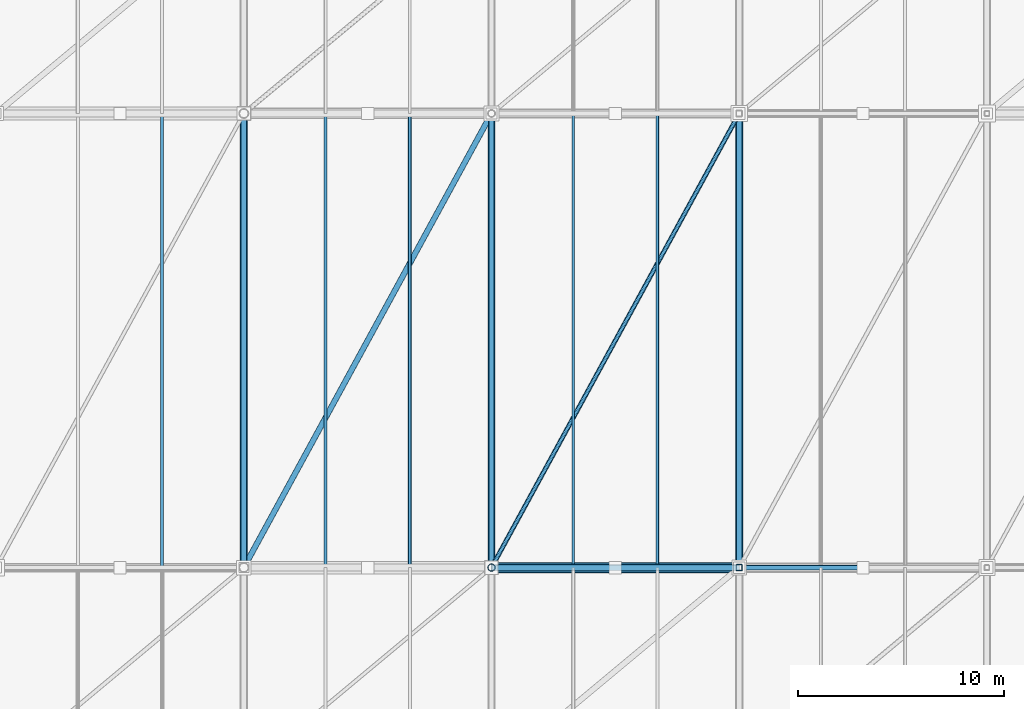
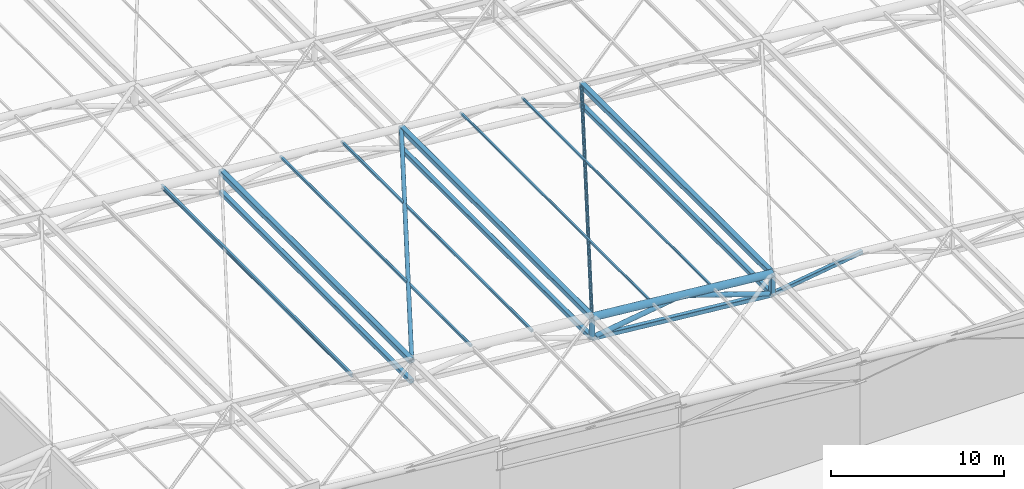
# One storey, part 10 of 44: 20 members.
"""IFC4 building model written with IfcOpenShell, lengths in metres."""

from ifc_helpers import new_model, si_unit, direction, frame, origin, origin_2d, place, context, subcontext, project, spatial, hollow_rectangle, hollow_circle, i_section, extrude, material, material_profile, profile_set, type_object, element, save


model = new_model("IFC4")

# Units and contexts
model_context = context("Model", 3, precision=1e-05, world=origin(), true_north=direction((0.0, 1.0)))
body_context = subcontext(model_context, "Body", "Model", "MODEL_VIEW")
ifc_project = project(units=[si_unit("LENGTHUNIT", "METRE"), si_unit("AREAUNIT", "SQUARE_METRE"), si_unit("VOLUMEUNIT", "CUBIC_METRE"), si_unit("PLANEANGLEUNIT", "RADIAN"), si_unit("MASSUNIT", "GRAM", prefix="KILO")], contexts=[model_context])

# Site, building, storey
site_placement = place(None, origin())
site = spatial("IfcSite", under=ifc_project, at=site_placement, CompositionType="ELEMENT")
building_placement = place(site_placement, origin())
building = spatial("IfcBuilding", under=site, at=building_placement, Name="Brinegate Civic Arena", CompositionType="ELEMENT")
storey_placement = place(building_placement, frame((0.0, 0.0, 29.39990234375)))
storey = spatial("IfcBuildingStorey", under=building, at=storey_placement, Name="RF", CompositionType="ELEMENT", Elevation=29.39990234375)

# Members
ifc_material = material(Name="Steel S355", Category="steel")
ifc_material_profile_1 = material_profile(ifc_material, hollow_rectangle(XDim=0.139892578125, YDim=0.139892578125, WallThickness=0.008056640625, InnerFilletRadius=0.008056640625, OuterFilletRadius=0.01611328125, at=origin_2d()), Name="SHS140X8")
ifc_profile_set_1 = profile_set([ifc_material_profile_1], Name="Steel S355")
member_type_1 = type_object("IfcMemberType", Name="RF-PURLIN-SHS140", PredefinedType="PURLIN", material=ifc_profile_set_1)
for number, where, z_axis, x_axis, name in (
    (1, (99.9599609375, 20.0, 6.84912109375), (0.0, 1.0, 0.0), (-1.0, 0.0, 0.0), "Roof Purlin RFP-027"),
    (2, (104.0400390625, 20.0, 6.466064453125), (0.0, 1.0, 0.0), (-1.0, 0.0, 0.0), "Roof Purlin RFP-028"),
):
    element("IfcMember", number, at=place(storey_placement, frame(where, z_axis=z_axis, x_axis=x_axis)), inside=storey, type_object=member_type_1, Name=name, PredefinedType="PURLIN", context=body_context, shape_type="SweptSolid", body=[
        extrude(hollow_rectangle(XDim=0.139892578125, YDim=0.139892578125, WallThickness=0.008056640625, InnerFilletRadius=0.008056640625, OuterFilletRadius=0.01611328125, at=origin_2d()), origin(), (0.0, 0.0, 1.0), 22.0),
    ])
ifc_material_profile_2 = material_profile(ifc_material, hollow_rectangle(XDim=0.159912109375, YDim=0.159912109375, WallThickness=0.008056640625, InnerFilletRadius=0.008056640625, OuterFilletRadius=0.01611328125, at=origin_2d()), Name="SHS160X8")
ifc_profile_set_2 = profile_set([ifc_material_profile_2], Name="Steel S355")
member_type_2 = type_object("IfcMemberType", Name="RF-PURLIN-SHS160", PredefinedType="PURLIN", material=ifc_profile_set_2)
for number, where, z_axis, x_axis, name in (
    (3, (87.9599609375, 20.0, 7.964111328125), (0.0, 1.0, 0.0), (-1.0, 0.0, 0.0), "Roof Purlin RFP-025"),
    (4, (92.0400390625, 20.0, 7.5810546875), (0.0, 1.0, 0.0), (-1.0, 0.0, 0.0), "Roof Purlin RFP-026"),
):
    element("IfcMember", number, at=place(storey_placement, frame(where, z_axis=z_axis, x_axis=x_axis)), inside=storey, type_object=member_type_2, Name=name, PredefinedType="PURLIN", context=body_context, shape_type="SweptSolid", body=[
        extrude(hollow_rectangle(XDim=0.159912109375, YDim=0.159912109375, WallThickness=0.008056640625, InnerFilletRadius=0.008056640625, OuterFilletRadius=0.01611328125, at=origin_2d()), origin(), (0.0, 0.0, 1.0), 22.0),
    ])
ifc_material_profile_3 = material_profile(ifc_material, i_section(OverallWidth=0.14794921875, OverallDepth=0.26611328125, WebThickness=0.008056640625, FlangeThickness=0.012939453125, FilletRadius=0.011962890625, at=origin_2d()), Name="W250X45")
ifc_profile_set_3 = profile_set([ifc_material_profile_3], Name="Steel S355")
member_type_3 = type_object("IfcMemberType", Name="RF-PURLIN-W250", PredefinedType="PURLIN", material=ifc_profile_set_3)
member_1_placement = place(storey_placement, frame((80.0400390625, 20.0, 8.653076171875), z_axis=(0.0, 1.0, 0.0), x_axis=(-1.0, 0.0, 0.0)))
element("IfcMember", 5, at=member_1_placement, inside=storey, type_object=member_type_3, Name="Roof Purlin RFP-024", PredefinedType="PURLIN", context=body_context, shape_type="SweptSolid", body=[
    extrude(i_section(OverallWidth=0.14794921875, OverallDepth=0.26611328125, WebThickness=0.008056640625, FlangeThickness=0.012939453125, FilletRadius=0.011962890625, at=origin_2d()), origin(), (0.0, 0.0, 1.0), 22.0),
])
ifc_material_profile_4 = material_profile(ifc_material, hollow_circle(Radius=0.109619140625, WallThickness=0.010009765625, at=origin_2d()), Name="CHS219X10")
ifc_profile_set_4 = profile_set([ifc_material_profile_4], Name="Steel S355")
member_type_4 = type_object("IfcMemberType", Name="SF-BRACE-CHS219", PredefinedType="BRACE", material=ifc_profile_set_4)
member_2_placement = place(storey_placement, frame((96.0, 20.0, 7.175048828125), z_axis=(0.478370337109, 0.877012284699, -0.044847219104), x_axis=(-0.877895572914, 0.478852130681, 0.0)))
element("IfcMember", 6, at=member_2_placement, inside=storey, type_object=member_type_4, Name="Roof Plan Diagonal Brace PL-2-5", PredefinedType="BRACE", context=body_context, shape_type="SweptSolid", body=[
    extrude(hollow_circle(Radius=0.109619140625, WallThickness=0.010009765625, at=origin_2d()), origin(), (0.0, 0.0, 1.0), 25.085205078125),
])
ifc_material_profile_5 = material_profile(ifc_material, hollow_circle(Radius=0.136474609375, WallThickness=0.011962890625, at=origin_2d()), Name="CHS273X12")
ifc_profile_set_5 = profile_set([ifc_material_profile_5], Name="Steel S355")
member_type_5 = type_object("IfcMemberType", Name="SF-BRACE-CHS273", PredefinedType="BRACE", material=ifc_profile_set_5)
member_3_placement = place(storey_placement, frame((84.0, 20.0, 8.300048828125), z_axis=(0.478370337109, 0.877012284699, -0.044847219104), x_axis=(-0.877895572914, 0.478852130681, 0.0)))
element("IfcMember", 7, at=member_3_placement, inside=storey, type_object=member_type_5, Name="Roof Plan Diagonal Brace PL-2-4", PredefinedType="BRACE", context=body_context, shape_type="SweptSolid", body=[
    extrude(hollow_circle(Radius=0.136474609375, WallThickness=0.011962890625, at=origin_2d()), origin(), (0.0, 0.0, 1.0), 25.085205078125),
])
ifc_material_profile_6 = material_profile(ifc_material, hollow_circle(Radius=0.162109375, WallThickness=0.011962890625, at=origin_2d()), Name="CHS324X12")
ifc_profile_set_6 = profile_set([ifc_material_profile_6], Name="Steel S355")
member_type_6 = type_object("IfcMemberType", Name="SF-BRACE-CHS324", PredefinedType="BRACE", material=ifc_profile_set_6)
member_4_placement = place(storey_placement, frame((96.0, 20.0, 5.72509765625), z_axis=(0.989226142737, 0.0, 0.1463954867), x_axis=(0.0, 1.0, 0.0)))
element("IfcMember", 8, at=member_4_placement, inside=storey, type_object=member_type_6, Name="Space Frame Web Brace D1-2-5", PredefinedType="BRACE", context=body_context, shape_type="SweptSolid", body=[
    extrude(hollow_circle(Radius=0.162109375, WallThickness=0.011962890625, at=origin_2d()), origin(), (0.0, 0.0, 1.0), 6.0654296875),
])
member_5_placement = place(storey_placement, frame((102.0, 20.0, 6.613037109375), z_axis=(0.948068139281, 0.0, -0.318067293635), x_axis=(0.0, 1.0, 0.0)))
element("IfcMember", 9, at=member_5_placement, inside=storey, type_object=member_type_6, Name="Space Frame Web Brace D2-2-5", PredefinedType="BRACE", context=body_context, shape_type="SweptSolid", body=[
    extrude(hollow_circle(Radius=0.162109375, WallThickness=0.011962890625, at=origin_2d()), origin(), (0.0, 0.0, 1.0), 6.32861328125),
])
ifc_material_profile_7 = material_profile(ifc_material, hollow_rectangle(XDim=0.25, YDim=0.25, WallThickness=0.011962890625, InnerFilletRadius=0.011962890625, OuterFilletRadius=0.02392578125, at=origin_2d()), Name="SHS250X12")
ifc_profile_set_7 = profile_set([ifc_material_profile_7], Name="Steel S355")
member_type_7 = type_object("IfcMemberType", Name="SF-BRACE-SHS250", PredefinedType="BRACE", material=ifc_profile_set_7)
member_6_placement = place(storey_placement, frame((108.0, 20.0, 4.60009765625), z_axis=(0.989226142737, 0.0, 0.1463954867), x_axis=(0.0, 1.0, 0.0)))
element("IfcMember", 10, at=member_6_placement, inside=storey, type_object=member_type_7, Name="Space Frame Web Brace D1-2-6", PredefinedType="BRACE", context=body_context, shape_type="SweptSolid", body=[
    extrude(hollow_rectangle(XDim=0.25, YDim=0.25, WallThickness=0.011962890625, InnerFilletRadius=0.011962890625, OuterFilletRadius=0.02392578125, at=origin_2d()), origin(), (0.0, 0.0, 1.0), 6.0654296875),
])
ifc_material_profile_8 = material_profile(ifc_material, hollow_circle(Radius=0.25390625, WallThickness=0.02001953125, at=origin_2d()), Name="CHS508X20")
ifc_profile_set_8 = profile_set([ifc_material_profile_8], Name="Steel S355")
member_type_8 = type_object("IfcMemberType", Name="SF-CHORD-CHS508", PredefinedType="CHORD", material=ifc_profile_set_8)
member_7_placement = place(storey_placement, frame((96.0, 20.0, 7.175048828125), z_axis=(0.995634226059, 0.0, -0.093340708693), x_axis=(0.0, 1.0, 0.0)))
element("IfcMember", 11, at=member_7_placement, inside=storey, type_object=member_type_8, Name="Space Frame Top Chord TX-2-5", PredefinedType="CHORD", context=body_context, shape_type="SweptSolid", body=[
    extrude(hollow_circle(Radius=0.25390625, WallThickness=0.02001953125, at=origin_2d()), origin(), (0.0, 0.0, 1.0), 12.052734375),
])
ifc_material_profile_9 = material_profile(ifc_material, hollow_rectangle(XDim=0.300048828125, YDim=0.300048828125, WallThickness=0.01611328125, InnerFilletRadius=0.01611328125, OuterFilletRadius=0.031982421875, at=origin_2d()), Name="SHS300X16")
ifc_profile_set_9 = profile_set([ifc_material_profile_9], Name="Steel S355")
member_type_9 = type_object("IfcMemberType", Name="SF-CHORD-SHS300", PredefinedType="CHORD", material=ifc_profile_set_9)
member_8_placement = place(storey_placement, frame((96.0, 20.0, 5.72509765625), z_axis=(0.995634226059, 0.0, -0.093340708693), x_axis=(0.0, 1.0, 0.0)))
element("IfcMember", 12, at=member_8_placement, inside=storey, type_object=member_type_9, Name="Space Frame Bottom Chord BX-2-5", PredefinedType="CHORD", context=body_context, shape_type="SweptSolid", body=[
    extrude(hollow_rectangle(XDim=0.300048828125, YDim=0.300048828125, WallThickness=0.01611328125, InnerFilletRadius=0.01611328125, OuterFilletRadius=0.031982421875, at=origin_2d()), origin(), (0.0, 0.0, 1.0), 12.052734375),
])
for number, where, z_axis, x_axis, name in (
    (13, (84.0, 20.0, 6.85009765625), (0.0, 1.0, 0.0), (-1.0, 0.0, 0.0), "Space Frame Cross Bottom Chord BY-2-4"),
    (14, (96.0, 20.0, 5.72509765625), (0.0, 1.0, 0.0), (-1.0, 0.0, 0.0), "Space Frame Cross Bottom Chord BY-2-5"),
    (15, (108.0, 20.0, 4.60009765625), (0.0, 1.0, 0.0), (-1.0, 0.0, 0.0), "Space Frame Cross Bottom Chord BY-2-6"),
):
    element("IfcMember", number, at=place(storey_placement, frame(where, z_axis=z_axis, x_axis=x_axis)), inside=storey, type_object=member_type_9, Name=name, PredefinedType="CHORD", context=body_context, shape_type="SweptSolid", body=[
        extrude(hollow_rectangle(XDim=0.300048828125, YDim=0.300048828125, WallThickness=0.01611328125, InnerFilletRadius=0.01611328125, OuterFilletRadius=0.031982421875, at=origin_2d()), origin(), (0.0, 0.0, 1.0), 22.0),
    ])
ifc_material_profile_10 = material_profile(ifc_material, hollow_rectangle(XDim=0.35009765625, YDim=0.35009765625, WallThickness=0.01611328125, InnerFilletRadius=0.01611328125, OuterFilletRadius=0.031982421875, at=origin_2d()), Name="SHS350X16")
ifc_profile_set_10 = profile_set([ifc_material_profile_10], Name="Steel S355")
member_type_10 = type_object("IfcMemberType", Name="SF-CHORD-SHS350", PredefinedType="CHORD", material=ifc_profile_set_10)
for number, where, z_axis, x_axis, name in (
    (16, (84.0, 20.0, 8.300048828125), (0.0, 1.0, 0.0), (-1.0, 0.0, 0.0), "Space Frame Cross Top Chord TY-2-4"),
    (17, (96.0, 20.0, 7.175048828125), (0.0, 1.0, 0.0), (-1.0, 0.0, 0.0), "Space Frame Cross Top Chord TY-2-5"),
    (18, (108.0, 20.0, 6.050048828125), (0.0, 1.0, 0.0), (-1.0, 0.0, 0.0), "Space Frame Cross Top Chord TY-2-6"),
):
    element("IfcMember", number, at=place(storey_placement, frame(where, z_axis=z_axis, x_axis=x_axis)), inside=storey, type_object=member_type_10, Name=name, PredefinedType="CHORD", context=body_context, shape_type="SweptSolid", body=[
        extrude(hollow_rectangle(XDim=0.35009765625, YDim=0.35009765625, WallThickness=0.01611328125, InnerFilletRadius=0.01611328125, OuterFilletRadius=0.031982421875, at=origin_2d()), origin(), (0.0, 0.0, 1.0), 22.0),
    ])
ifc_material_profile_11 = material_profile(ifc_material, hollow_circle(Radius=0.177978515625, WallThickness=0.013916015625, at=origin_2d()), Name="CHS356X14")
ifc_profile_set_11 = profile_set([ifc_material_profile_11], Name="Steel S355")
member_type_11 = type_object("IfcMemberType", Name="SF-STRUT-CHS356", PredefinedType="STRUT", material=ifc_profile_set_11)
member_9_placement = place(storey_placement, frame((96.0, 20.0, 5.72509765625), z_axis=(0.0, 0.0, 1.0), x_axis=(1.0, 0.0, 0.0)))
element("IfcMember", 19, at=member_9_placement, inside=storey, type_object=member_type_11, Name="Space Frame Vertical Post V-2-5", PredefinedType="STRUT", context=body_context, shape_type="SweptSolid", body=[
    extrude(hollow_circle(Radius=0.177978515625, WallThickness=0.013916015625, at=origin_2d()), origin(), (0.0, 0.0, 1.0), 1.449951171875),
])
ifc_material_profile_12 = material_profile(ifc_material, hollow_rectangle(XDim=0.300048828125, YDim=0.300048828125, WallThickness=0.01611328125, InnerFilletRadius=0.01611328125, OuterFilletRadius=0.031982421875, at=origin_2d()), Name="SHS300X16")
ifc_profile_set_12 = profile_set([ifc_material_profile_12], Name="Steel S355")
member_type_12 = type_object("IfcMemberType", Name="SF-STRUT-SHS300", PredefinedType="STRUT", material=ifc_profile_set_12)
member_10_placement = place(storey_placement, frame((108.0, 20.0, 4.60009765625), z_axis=(0.0, 0.0, 1.0), x_axis=(1.0, 0.0, 0.0)))
element("IfcMember", 20, at=member_10_placement, inside=storey, type_object=member_type_12, Name="Space Frame Vertical Post V-2-6", PredefinedType="STRUT", context=body_context, shape_type="SweptSolid", body=[
    extrude(hollow_rectangle(XDim=0.300048828125, YDim=0.300048828125, WallThickness=0.01611328125, InnerFilletRadius=0.01611328125, OuterFilletRadius=0.031982421875, at=origin_2d()), origin(), (0.0, 0.0, 1.0), 1.449951171875),
])

save(model, "model.ifc")
